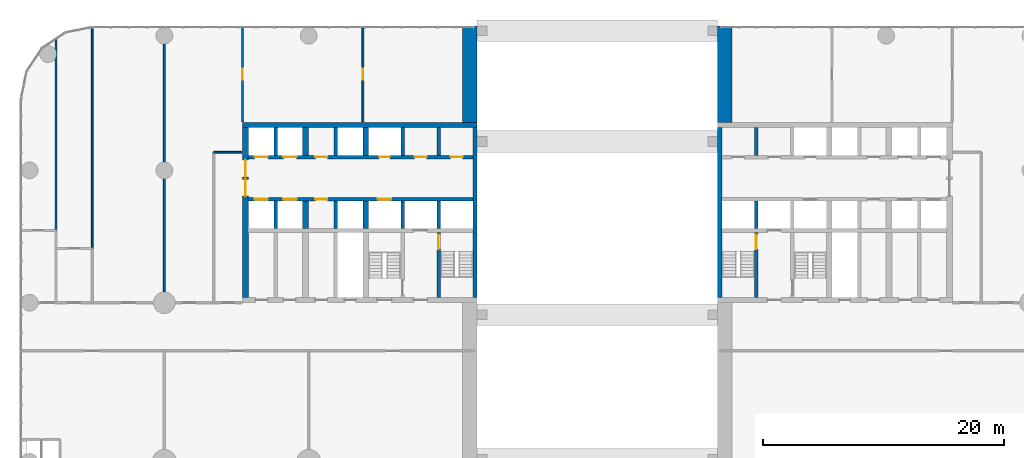
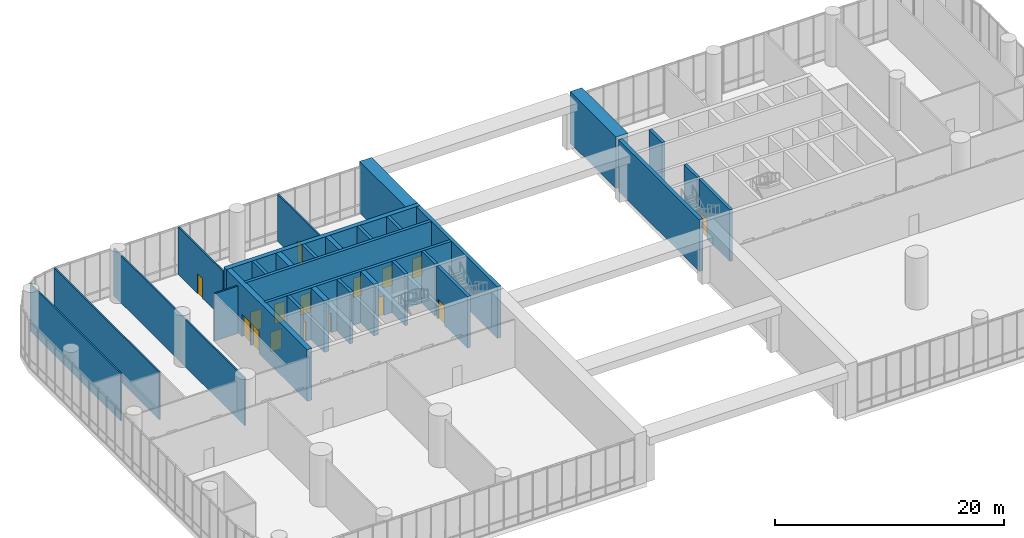
# One storey, part 25 of 30: 30 walls, 16 doors, 16 openings.
"""IFC4 building model written with IfcOpenShell, lengths in metres."""

import ifcopenshell
import ifcopenshell.guid

model = None  # the IFC model being written
_history = None  # IfcOwnerHistory: only IFC2X3 demands one
_inside = {}  # id of a spatial element -> (the spatial element, [elements in it])
_under = {}  # id of a project, library or spatial element -> (it, [spatial elements below it])
_declared = {}  # id of a project -> (the project, [libraries it declares])
_typed = {}  # id of a type object -> (the type object, [elements of that type])
_made_of = {}  # id of a material, layer set ... -> (it, [elements and type objects made of it])


def new_model(schema):
    """Start an empty IFC model of exactly this schema.

    Asked for "IFC4X3", IfcOpenShell would pick the latest addendum, in which some entities
    have other attributes; the version numbers below select the first issue.
    IFC2X3 requires an IfcOwnerHistory on every rooted entity: one is made here for all.
    """
    global model, _history
    if schema == "IFC4X3":
        model = ifcopenshell.file(schema_version=(4, 3, 0, 0))
    else:
        model = ifcopenshell.file(schema=schema)
    _inside.clear()
    _under.clear()
    _declared.clear()
    _typed.clear()
    _made_of.clear()
    _history = None
    if model.schema == "IFC2X3":
        org = make("IfcOrganization", Name="unknown")
        user = make(
            "IfcPersonAndOrganization",
            ThePerson=make("IfcPerson", FamilyName="unknown"),
            TheOrganization=org,
        )
        app = make(
            "IfcApplication",
            ApplicationDeveloper=org,
            Version="unknown",
            ApplicationFullName="unknown",
            ApplicationIdentifier="unknown",
        )
        _history = make(
            "IfcOwnerHistory",
            OwningUser=user,
            OwningApplication=app,
            ChangeAction="ADDED",
            CreationDate=0,
        )
    return model


def make(cls, **values):
    """One entity of the class cls with the attributes given. An attribute that is None is left unset."""
    return model.create_entity(
        cls, **{name: value for name, value in values.items() if value is not None}
    )


def rooted(cls, **values):
    """An entity with a GlobalId (a new one), such as an element, a storey or a relation."""
    return make(cls, GlobalId=ifcopenshell.guid.new(), OwnerHistory=_history, **values)


def si_unit(unit_type, name, prefix=None):
    """IfcSIUnit, for example si_unit("LENGTHUNIT", "METRE", prefix="MILLI")."""
    return make("IfcSIUnit", UnitType=unit_type, Prefix=prefix, Name=name)


def assignment(units):
    """IfcUnitAssignment: the units of a project."""
    return None if units is None else make("IfcUnitAssignment", Units=units)


def point(xyz):
    """IfcCartesianPoint."""
    return None if xyz is None else make("IfcCartesianPoint", Coordinates=xyz)


def direction(xyz):
    """IfcDirection."""
    return None if xyz is None else make("IfcDirection", DirectionRatios=xyz)


def frame(location, z_axis=None, x_axis=None):
    """IfcAxis2Placement3D, a coordinate frame: its origin and axes. An axis left out is left unset."""
    return make(
        "IfcAxis2Placement3D",
        Location=point(location),
        Axis=direction(z_axis),
        RefDirection=direction(x_axis),
    )


def frame_2d(location, x_axis=None):
    """IfcAxis2Placement2D, a coordinate frame in the plane: its origin and x axis."""
    return make(
        "IfcAxis2Placement2D", Location=point(location), RefDirection=direction(x_axis)
    )


def origin():
    """The frame at (0, 0, 0) with its axes left unset."""
    return frame((0.0, 0.0, 0.0))


def place(relative_to, where):
    """IfcLocalPlacement: puts the frame where relative to a parent placement (None: the world)."""
    return make(
        "IfcLocalPlacement", PlacementRelTo=relative_to, RelativePlacement=where
    )


def context(
    kind, dimensions, precision=None, world=None, true_north=None, identifier=None
):
    """IfcGeometricRepresentationContext, for example the 3D "Model" context."""
    return make(
        "IfcGeometricRepresentationContext",
        ContextIdentifier=identifier,
        ContextType=kind,
        CoordinateSpaceDimension=dimensions,
        Precision=precision,
        WorldCoordinateSystem=world,
        TrueNorth=true_north,
    )


def subcontext(parent, identifier, kind, view, scale=None):
    """IfcGeometricRepresentationSubContext, for example "Body" below "Model"."""
    return make(
        "IfcGeometricRepresentationSubContext",
        ContextIdentifier=identifier,
        ContextType=kind,
        ParentContext=parent,
        TargetScale=scale,
        TargetView=view,
    )


def project(units=None, contexts=None):
    """IfcProject with its units and contexts."""
    return rooted(
        "IfcProject",
        Name="project",
        RepresentationContexts=contexts,
        UnitsInContext=assignment(units),
    )


def spatial(cls, under=None, at=None, **own):
    """A site, building, storey or space (cls), placed at a placement, below another one or the project."""
    s = rooted(cls, ObjectPlacement=at, **own)
    if under is not None:
        _under.setdefault(under.id(), (under, []))[1].append(s)
    return s


def profile(cls, at=None, kind="AREA", **sizes):
    """A parametric profile (cls). Its sizes go by their IFC names, for example OverallWidth=200.0."""
    return make(cls, ProfileType=kind, Position=at, **sizes)


def rectangle(**sizes):
    """IfcRectangleProfileDef."""
    return profile("IfcRectangleProfileDef", **sizes)


def extrude(swept, where, along, depth):
    """IfcExtrudedAreaSolid: the profile swept, set in the frame where, extruded along a direction by depth."""
    return make(
        "IfcExtrudedAreaSolid",
        SweptArea=swept,
        Position=where,
        ExtrudedDirection=direction(along),
        Depth=depth,
    )


def shape(context_of_items, identifier, shape_type, items):
    """IfcShapeRepresentation: the items that make up one representation, for example the "Body"."""
    return make(
        "IfcShapeRepresentation",
        ContextOfItems=context_of_items,
        RepresentationIdentifier=identifier,
        RepresentationType=shape_type,
        Items=items,
    )


def material(Name=None, Category=None):
    """IfcMaterial."""
    return make("IfcMaterial", Name=Name, Category=Category)


def layer(
    of_material, thickness, ventilated=None, Name=None, Category=None, Priority=None
):
    """IfcMaterialLayer: one layer of a wall or slab, of a material (None: an air gap)."""
    return make(
        "IfcMaterialLayer",
        Material=of_material,
        LayerThickness=thickness,
        IsVentilated=ventilated,
        Name=Name,
        Category=Category,
        Priority=Priority,
    )


def layer_set(layers, Name=None):
    """IfcMaterialLayerSet."""
    return make("IfcMaterialLayerSet", MaterialLayers=layers, LayerSetName=Name)


def made_of(thing, what):
    """Note that an element or type object is made of a material, layer set ...; save() writes the relation."""
    if what is not None:
        _made_of.setdefault(what.id(), (what, []))[1].append(thing)
    return thing


def type_object(cls, material=None, **own):
    """A type object (cls), such as IfcWallType, which elements share."""
    return made_of(rooted(cls, **own), material)


def element(
    cls,
    number,
    at=None,
    inside=None,
    cuts=None,
    type_object=None,
    material=None,
    context=None,
    identifier="Body",
    shape_type=None,
    held_by="IfcProductDefinitionShape",
    body=None,
    shapes=None,
    **own,
):
    """One element of the class cls, such as IfcWall. Its Tag is "e" and its number.

    at: its placement. inside: the storey or other place that contains it. cuts: it is an
    opening in that element (IfcRelVoidsElement). A single representation is given by context,
    identifier, shape_type and body (its items); several are given by shapes. held_by: the class
    of the entity that holds the representations. save() writes the other relations.
    """
    e = rooted(cls, Tag="e%d" % number, ObjectPlacement=at, **own)
    if body is not None:
        shapes = [shape(context, identifier, shape_type, body)]
    if shapes is not None:
        e.Representation = make(held_by, Representations=shapes)
    if inside is not None:
        _inside.setdefault(inside.id(), (inside, []))[1].append(e)
    if cuts is not None:
        rooted(
            "IfcRelVoidsElement", RelatingBuildingElement=cuts, RelatedOpeningElement=e
        )
    if type_object is not None:
        _typed.setdefault(type_object.id(), (type_object, []))[1].append(e)
    return made_of(e, material)


def fill(opening, filler):
    """IfcRelFillsElement: the door or window that sits in an opening."""
    return rooted(
        "IfcRelFillsElement",
        RelatingOpeningElement=opening,
        RelatedBuildingElement=filler,
    )


def aggregate(whole, parts):
    """IfcRelAggregates: a whole, such as a stair, and the parts it consists of."""
    return rooted("IfcRelAggregates", RelatingObject=whole, RelatedObjects=parts)


def save(model, path):
    """Write the relations noted so far, then the file.

    IfcRelAggregates (storeys below a building ...), IfcRelContainedInSpatialStructure (elements
    in a storey), IfcRelDefinesByType, IfcRelAssociatesMaterial and IfcRelDeclares: one each for
    every whole, place, type object, material and project.
    """
    for whole, parts in _under.values():
        aggregate(whole, parts)
    for where, things in _inside.values():
        rooted(
            "IfcRelContainedInSpatialStructure",
            RelatedElements=things,
            RelatingStructure=where,
        )
    for kind, things in _typed.values():
        rooted("IfcRelDefinesByType", RelatedObjects=things, RelatingType=kind)
    for what, things in _made_of.values():
        rooted("IfcRelAssociatesMaterial", RelatedObjects=things, RelatingMaterial=what)
    for by, libraries in _declared.values():
        rooted("IfcRelDeclares", RelatingContext=by, RelatedDefinitions=libraries)
    model.write(path)


model = new_model("IFC4")

# Units and contexts
model_context = context("Model", 3, precision=1e-05, world=origin(), true_north=direction((0.0, 1.0)))
body_context = subcontext(model_context, "Body", "Model", "MODEL_VIEW")
ifc_project = project(units=[si_unit("LENGTHUNIT", "METRE"), si_unit("AREAUNIT", "SQUARE_METRE"), si_unit("VOLUMEUNIT", "CUBIC_METRE"), si_unit("PLANEANGLEUNIT", "RADIAN"), si_unit("MASSUNIT", "GRAM", prefix="KILO")], contexts=[model_context])

# Site, building, storey
site_placement = place(None, origin())
site = spatial("IfcSite", under=ifc_project, at=site_placement, CompositionType="ELEMENT")
building_placement = place(site_placement, origin())
building = spatial("IfcBuilding", under=site, at=building_placement, Name="Torana Hotel and Residences", CompositionType="ELEMENT")
storey_placement = place(building_placement, frame((0.0, 0.0, 12.5)))
storey = spatial("IfcBuildingStorey", under=building, at=storey_placement, Name="L02", CompositionType="ELEMENT", Elevation=12.5)

# Walls
ifc_material_1 = material(Name="Concrete C70/85", Category="concrete")
ifc_layer_1 = layer(ifc_material_1, 1.199951171875)
ifc_layer_set_1 = layer_set([ifc_layer_1], Name="CORE WALL 1200 C70/85")
wall_type_1 = type_object("IfcWallType", Name="CORE WALL 1200 C70/85", PredefinedType="SHEAR", material=ifc_layer_set_1)
for number, where, z_axis, x_axis, name in (
    (1, (-10.60009765625, 0.0, 0.0), (0.0, 0.0, 1.0), (0.0, 1.0, 0.0), "Arch jamb wall W"),
    (2, (10.60009765625, 0.0, 0.0), (0.0, 0.0, 1.0), (0.0, 1.0, 0.0), "Arch jamb wall E"),
):
    element("IfcWall", number, at=place(storey_placement, frame(where, z_axis=z_axis, x_axis=x_axis)), inside=storey, type_object=wall_type_1, Name=name, PredefinedType="SHEAR", context=body_context, shape_type="SweptSolid", body=[
        extrude(rectangle(XDim=8.0, YDim=1.199951171875, at=frame_2d((4.0, 0.0))), origin(), (0.0, 0.0, 1.0), 5.5),
    ])

# Wall, openings, doors
ifc_material_2 = material(Name="Concrete C80/95", Category="concrete")
ifc_layer_2 = layer(ifc_material_2, 0.300048828125)
ifc_layer_set_2 = layer_set([ifc_layer_2], Name="CORE WALL 300 C80/95")
wall_type_2 = type_object("IfcWallType", Name="CORE WALL 300 C80/95", PredefinedType="SHEAR", material=ifc_layer_set_2)
wall_1_placement = place(storey_placement, frame((-29.050048828125, -2.89990234375, 0.0), z_axis=(0.0, 0.0, 1.0), x_axis=(1.0, 0.0, 0.0)))
wall_1 = element("IfcWall", 3, at=wall_1_placement, inside=storey, type_object=wall_type_2, Name="Core wall W row-N", PredefinedType="SHEAR", context=body_context, shape_type="SweptSolid", body=[
    extrude(rectangle(XDim=18.699951171875, YDim=0.300048828125, at=frame_2d((9.35009765625, 0.0))), origin(), (0.0, 0.0, 1.0), 5.5),
])
opening_1_placement = place(wall_1_placement, frame((2.949951171875, 0.0, 0.0)))
opening_1 = element("IfcOpeningElement", 4, at=opening_1_placement, cuts=wall_1, Name="Opening LD", PredefinedType="OPENING", context=body_context, shape_type="SweptSolid", body=[
    extrude(rectangle(XDim=1.10009765625, YDim=2.10009765625, at=frame_2d((0.550048828125, 1.050048828125))), frame((0.0, 0.159912109375, 0.0), z_axis=(0.0, -1.0, 0.0), x_axis=(1.0, 0.0, 0.0)), (0.0, 0.0, 1.0), 0.320068359375),
])
opening_2_placement = place(wall_1_placement, frame((0.550048828125, 0.0, 0.0)))
opening_2 = element("IfcOpeningElement", 5, at=opening_2_placement, cuts=wall_1, Name="Opening LD", PredefinedType="OPENING", context=body_context, shape_type="SweptSolid", body=[
    extrude(rectangle(XDim=1.10009765625, YDim=2.10009765625, at=frame_2d((0.550048828125, 1.050048828125))), frame((0.0, 0.159912109375, 0.0), z_axis=(0.0, -1.0, 0.0), x_axis=(1.0, 0.0, 0.0)), (0.0, 0.0, 1.0), 0.320068359375),
])
opening_3_placement = place(wall_1_placement, frame((10.89990234375, 0.0, 0.0)))
opening_3 = element("IfcOpeningElement", 6, at=opening_3_placement, cuts=wall_1, Name="Opening L02-09", PredefinedType="OPENING", context=body_context, shape_type="SweptSolid", body=[
    extrude(rectangle(XDim=0.89990234375, YDim=2.10009765625, at=frame_2d((0.449951171875, 1.050048828125))), frame((0.0, 0.159912109375, 0.0), z_axis=(0.0, -1.0, 0.0), x_axis=(1.0, 0.0, 0.0)), (0.0, 0.0, 1.0), 0.320068359375),
])
opening_4_placement = place(wall_1_placement, frame((16.85009765625, 0.0, 0.0)))
opening_4 = element("IfcOpeningElement", 7, at=opening_4_placement, cuts=wall_1, Name="Opening L02-10", PredefinedType="OPENING", context=body_context, shape_type="SweptSolid", body=[
    extrude(rectangle(XDim=1.0, YDim=2.10009765625, at=frame_2d((0.5, 1.050048828125))), frame((0.0, 0.159912109375, 0.0), z_axis=(0.0, -1.0, 0.0), x_axis=(1.0, 0.0, 0.0)), (0.0, 0.0, 1.0), 0.320068359375),
])
opening_5_placement = place(wall_1_placement, frame((13.85009765625, 0.0, 0.0)))
opening_5 = element("IfcOpeningElement", 8, at=opening_5_placement, cuts=wall_1, Name="Opening L02-11", PredefinedType="OPENING", context=body_context, shape_type="SweptSolid", body=[
    extrude(rectangle(XDim=1.0, YDim=2.10009765625, at=frame_2d((0.5, 1.050048828125))), frame((0.0, 0.159912109375, 0.0), z_axis=(0.0, -1.0, 0.0), x_axis=(1.0, 0.0, 0.0)), (0.0, 0.0, 1.0), 0.320068359375),
])
opening_6_placement = place(wall_1_placement, frame((5.60009765625, 0.0, 0.0)))
opening_6 = element("IfcOpeningElement", 9, at=opening_6_placement, cuts=wall_1, Name="Opening L02-12", PredefinedType="OPENING", context=body_context, shape_type="SweptSolid", body=[
    extrude(rectangle(XDim=1.0, YDim=2.10009765625, at=frame_2d((0.5, 1.050048828125))), frame((0.0, 0.159912109375, 0.0), z_axis=(0.0, -1.0, 0.0), x_axis=(1.0, 0.0, 0.0)), (0.0, 0.0, 1.0), 0.320068359375),
])
ifc_material_3 = material(Name="Steel S235", Category="steel")
door_type_1 = type_object("IfcDoorType", Name="CORE ROOM FIRE DOOR D14 1000x2100", OperationType="SINGLE_SWING_LEFT", PredefinedType="DOOR", material=ifc_material_3)
door_1_placement = place(opening_4_placement, origin())
door_1 = element("IfcDoor", 10, at=door_1_placement, inside=storey, type_object=door_type_1, Name="N0 door L02", OperationType="SINGLE_SWING_RIGHT", OverallHeight=2.10009765625, OverallWidth=1.0, PredefinedType="DOOR", context=body_context, shape_type="SweptSolid", body=[
    extrude(rectangle(XDim=1.0, YDim=2.10009765625, at=frame_2d((0.5, 1.050048828125))), frame((0.0, 0.02490234375, 0.0), z_axis=(0.0, -1.0, 0.0), x_axis=(1.0, 0.0, 0.0)), (0.0, 0.0, 1.0), 0.050048828125),
])
fill(opening_4, door_1)
door_2_placement = place(opening_5_placement, origin())
door_2 = element("IfcDoor", 11, at=door_2_placement, inside=storey, type_object=door_type_1, Name="N1 door L02", OperationType="SINGLE_SWING_RIGHT", OverallHeight=2.10009765625, OverallWidth=1.0, PredefinedType="DOOR", context=body_context, shape_type="SweptSolid", body=[
    extrude(rectangle(XDim=1.0, YDim=2.10009765625, at=frame_2d((0.5, 1.050048828125))), frame((0.0, 0.02490234375, 0.0), z_axis=(0.0, -1.0, 0.0), x_axis=(1.0, 0.0, 0.0)), (0.0, 0.0, 1.0), 0.050048828125),
])
fill(opening_5, door_2)
door_3_placement = place(opening_6_placement, origin())
door_3 = element("IfcDoor", 12, at=door_3_placement, inside=storey, type_object=door_type_1, Name="Free-M1 door L02", OperationType="SINGLE_SWING_RIGHT", OverallHeight=2.10009765625, OverallWidth=1.0, PredefinedType="DOOR", context=body_context, shape_type="SweptSolid", body=[
    extrude(rectangle(XDim=1.0, YDim=2.10009765625, at=frame_2d((0.5, 1.050048828125))), frame((0.0, 0.02490234375, 0.0), z_axis=(0.0, -1.0, 0.0), x_axis=(1.0, 0.0, 0.0)), (0.0, 0.0, 1.0), 0.050048828125),
])
fill(opening_6, door_3)
ifc_material_4 = material(Name="Stainless steel 316", Category="steel")
door_type_2 = type_object("IfcDoorType", Name="LIFT LANDING DOOR LD 1100x2100", OperationType="DOUBLE_DOOR_SLIDING", PredefinedType="USERDEFINED", material=ifc_material_4)
door_4_placement = place(opening_1_placement, origin())
door_4 = element("IfcDoor", 13, at=door_4_placement, inside=storey, type_object=door_type_2, Name="Lift landing door L1 L02", ObjectType="LIFT LANDING DOOR", OperationType="DOUBLE_DOOR_SLIDING", OverallHeight=2.10009765625, OverallWidth=1.10009765625, PredefinedType="USERDEFINED", context=body_context, shape_type="SweptSolid", body=[
    extrude(rectangle(XDim=1.10009765625, YDim=2.10009765625, at=frame_2d((0.550048828125, 1.050048828125))), frame((0.0, 0.02490234375, 0.0), z_axis=(0.0, -1.0, 0.0), x_axis=(1.0, 0.0, 0.0)), (0.0, 0.0, 1.0), 0.050048828125),
])
fill(opening_1, door_4)
door_5_placement = place(opening_2_placement, origin())
door_5 = element("IfcDoor", 14, at=door_5_placement, inside=storey, type_object=door_type_2, Name="Lift landing door L2 L02", ObjectType="LIFT LANDING DOOR", OperationType="DOUBLE_DOOR_SLIDING", OverallHeight=2.10009765625, OverallWidth=1.10009765625, PredefinedType="USERDEFINED", context=body_context, shape_type="SweptSolid", body=[
    extrude(rectangle(XDim=1.10009765625, YDim=2.10009765625, at=frame_2d((0.550048828125, 1.050048828125))), frame((0.0, 0.02490234375, 0.0), z_axis=(0.0, -1.0, 0.0), x_axis=(1.0, 0.0, 0.0)), (0.0, 0.0, 1.0), 0.050048828125),
])
fill(opening_2, door_5)
ifc_material_5 = material(Name="Steel S235", Category="steel")
door_type_3 = type_object("IfcDoorType", Name="RISER ACCESS DOOR D5 900x2100", OperationType="SINGLE_SWING_LEFT", PredefinedType="DOOR", material=ifc_material_5)
door_6_placement = place(opening_3_placement, origin())
door_6 = element("IfcDoor", 15, at=door_6_placement, inside=storey, type_object=door_type_3, Name="N2 door L02", OperationType="SINGLE_SWING_RIGHT", OverallHeight=2.10009765625, OverallWidth=0.89990234375, PredefinedType="DOOR", context=body_context, shape_type="SweptSolid", body=[
    extrude(rectangle(XDim=0.89990234375, YDim=2.10009765625, at=frame_2d((0.449951171875, 1.050048828125))), frame((0.0, 0.02490234375, 0.0), z_axis=(0.0, -1.0, 0.0), x_axis=(1.0, 0.0, 0.0)), (0.0, 0.0, 1.0), 0.050048828125),
])
fill(opening_3, door_6)

wall_2_placement = place(storey_placement, frame((-29.050048828125, -6.39990234375, 0.0), z_axis=(0.0, 0.0, 1.0), x_axis=(1.0, 0.0, 0.0)))
wall_2 = element("IfcWall", 16, at=wall_2_placement, inside=storey, type_object=wall_type_2, Name="Core wall W row-S", PredefinedType="SHEAR", context=body_context, shape_type="SweptSolid", body=[
    extrude(rectangle(XDim=18.699951171875, YDim=0.300048828125, at=frame_2d((9.35009765625, 0.0))), origin(), (0.0, 0.0, 1.0), 5.5),
])
opening_7_placement = place(wall_2_placement, frame((2.949951171875, 0.0, 0.0)))
opening_7 = element("IfcOpeningElement", 17, at=opening_7_placement, cuts=wall_2, Name="Opening LD", PredefinedType="OPENING", context=body_context, shape_type="SweptSolid", body=[
    extrude(rectangle(XDim=1.10009765625, YDim=2.10009765625, at=frame_2d((0.550048828125, 1.050048828125))), frame((0.0, 0.159912109375, 0.0), z_axis=(0.0, -1.0, 0.0), x_axis=(1.0, 0.0, 0.0)), (0.0, 0.0, 1.0), 0.320068359375),
])
opening_8_placement = place(wall_2_placement, frame((0.550048828125, 0.0, 0.0)))
opening_8 = element("IfcOpeningElement", 18, at=opening_8_placement, cuts=wall_2, Name="Opening LD", PredefinedType="OPENING", context=body_context, shape_type="SweptSolid", body=[
    extrude(rectangle(XDim=1.10009765625, YDim=2.10009765625, at=frame_2d((0.550048828125, 1.050048828125))), frame((0.0, 0.159912109375, 0.0), z_axis=(0.0, -1.0, 0.0), x_axis=(1.0, 0.0, 0.0)), (0.0, 0.0, 1.0), 0.320068359375),
])
opening_9_placement = place(wall_2_placement, frame((10.800048828125, 0.0, 0.0)))
opening_9 = element("IfcOpeningElement", 19, at=opening_9_placement, cuts=wall_2, Name="Opening LD", PredefinedType="OPENING", context=body_context, shape_type="SweptSolid", body=[
    extrude(rectangle(XDim=1.10009765625, YDim=2.10009765625, at=frame_2d((0.550048828125, 1.050048828125))), frame((0.0, 0.159912109375, 0.0), z_axis=(0.0, -1.0, 0.0), x_axis=(1.0, 0.0, 0.0)), (0.0, 0.0, 1.0), 0.320068359375),
])
opening_10_placement = place(wall_2_placement, frame((5.60009765625, 0.0, 0.0)))
opening_10 = element("IfcOpeningElement", 20, at=opening_10_placement, cuts=wall_2, Name="Opening L02-13", PredefinedType="OPENING", context=body_context, shape_type="SweptSolid", body=[
    extrude(rectangle(XDim=1.0, YDim=2.10009765625, at=frame_2d((0.5, 1.050048828125))), frame((0.0, 0.159912109375, 0.0), z_axis=(0.0, -1.0, 0.0), x_axis=(1.0, 0.0, 0.0)), (0.0, 0.0, 1.0), 0.320068359375),
])
door_7_placement = place(opening_10_placement, frame((0.5, 0.0, 0.0), z_axis=(0.0, 0.0, 1.0), x_axis=(-1.0, 0.0, 0.0)))
door_7 = element("IfcDoor", 21, at=door_7_placement, inside=storey, type_object=door_type_1, Name="Free-M2 door L02", OperationType="SINGLE_SWING_LEFT", OverallHeight=2.10009765625, OverallWidth=1.0, PredefinedType="DOOR", context=body_context, shape_type="SweptSolid", body=[
    extrude(rectangle(XDim=1.0, YDim=2.10009765625, at=frame_2d((0.0, 1.050048828125))), frame((0.0, -0.02490234375, 0.0), z_axis=(0.0, 1.0, 0.0), x_axis=(-1.0, 0.0, 0.0)), (0.0, 0.0, 1.0), 0.050048828125),
])
fill(opening_10, door_7)
door_8_placement = place(opening_7_placement, origin())
door_8 = element("IfcDoor", 22, at=door_8_placement, inside=storey, type_object=door_type_2, Name="Lift landing door L3 L02", ObjectType="LIFT LANDING DOOR", OperationType="DOUBLE_DOOR_SLIDING", OverallHeight=2.10009765625, OverallWidth=1.10009765625, PredefinedType="USERDEFINED", context=body_context, shape_type="SweptSolid", body=[
    extrude(rectangle(XDim=1.10009765625, YDim=2.10009765625, at=frame_2d((0.550048828125, 1.050048828125))), frame((0.0, 0.02490234375, 0.0), z_axis=(0.0, -1.0, 0.0), x_axis=(1.0, 0.0, 0.0)), (0.0, 0.0, 1.0), 0.050048828125),
])
fill(opening_7, door_8)
door_9_placement = place(opening_8_placement, origin())
door_9 = element("IfcDoor", 23, at=door_9_placement, inside=storey, type_object=door_type_2, Name="Lift landing door L4 L02", ObjectType="LIFT LANDING DOOR", OperationType="DOUBLE_DOOR_SLIDING", OverallHeight=2.10009765625, OverallWidth=1.10009765625, PredefinedType="USERDEFINED", context=body_context, shape_type="SweptSolid", body=[
    extrude(rectangle(XDim=1.10009765625, YDim=2.10009765625, at=frame_2d((0.550048828125, 1.050048828125))), frame((0.0, 0.02490234375, 0.0), z_axis=(0.0, -1.0, 0.0), x_axis=(1.0, 0.0, 0.0)), (0.0, 0.0, 1.0), 0.050048828125),
])
fill(opening_8, door_9)
door_10_placement = place(opening_9_placement, origin())
door_10 = element("IfcDoor", 24, at=door_10_placement, inside=storey, type_object=door_type_2, Name="Lift landing door SV1 L02", ObjectType="LIFT LANDING DOOR", OperationType="DOUBLE_DOOR_SLIDING", OverallHeight=2.10009765625, OverallWidth=1.10009765625, PredefinedType="USERDEFINED", context=body_context, shape_type="SweptSolid", body=[
    extrude(rectangle(XDim=1.10009765625, YDim=2.10009765625, at=frame_2d((0.550048828125, 1.050048828125))), frame((0.0, 0.02490234375, 0.0), z_axis=(0.0, -1.0, 0.0), x_axis=(1.0, 0.0, 0.0)), (0.0, 0.0, 1.0), 0.050048828125),
])
fill(opening_9, door_10)

# Walls
for number, where, z_axis, x_axis, name in (
    (25, (-13.199951171875, -2.75, 0.0), (0.0, 0.0, 1.0), (0.0, 1.0, 0.0), "Core wall W x3.05-N"),
    (26, (-13.199951171875, -8.85009765625, 0.0), (0.0, 0.0, 1.0), (0.0, 1.0, 0.0), "Core wall W x3.05-S"),
):
    element("IfcWall", number, at=place(storey_placement, frame(where, z_axis=z_axis, x_axis=x_axis)), inside=storey, type_object=wall_type_2, Name=name, PredefinedType="SHEAR", context=body_context, shape_type="SweptSolid", body=[
        extrude(rectangle(XDim=2.300048828125, YDim=0.300048828125, at=frame_2d((1.14990234375, 0.0))), origin(), (0.0, 0.0, 1.0), 5.5),
    ])

# Wall, opening, door
wall_3_placement = place(storey_placement, frame((-13.199951171875, -14.550048828125, 0.0), z_axis=(0.0, 0.0, 1.0), x_axis=(0.0, 1.0, 0.0)))
wall_3 = element("IfcWall", 27, at=wall_3_placement, inside=storey, type_object=wall_type_2, Name="Core wall W x3.05-band", PredefinedType="SHEAR", context=body_context, shape_type="SweptSolid", body=[
    extrude(rectangle(XDim=5.400146484375, YDim=0.300048828125, at=frame_2d((2.7001953125, 0.0))), origin(), (0.0, 0.0, 1.0), 5.5),
])
opening_11_placement = place(wall_3_placement, frame((4.0, 0.0, 0.0)))
opening_11 = element("IfcOpeningElement", 28, at=opening_11_placement, cuts=wall_3, Name="Opening L02-14", PredefinedType="OPENING", context=body_context, shape_type="SweptSolid", body=[
    extrude(rectangle(XDim=1.199951171875, YDim=2.10009765625, at=frame_2d((0.60009765625, 1.050048828125))), frame((0.0, 0.159912109375, 0.0), z_axis=(0.0, -1.0, 0.0), x_axis=(1.0, 0.0, 0.0)), (0.0, 0.0, 1.0), 0.320068359375),
])
ifc_material_6 = material(Name="Steel S235", Category="steel")
door_type_4 = type_object("IfcDoorType", Name="STAIR FIRE DOOR D3 1200x2100", OperationType="SINGLE_SWING_LEFT", PredefinedType="DOOR", material=ifc_material_6)
door_11_placement = place(opening_11_placement, frame((0.60009765625, 0.0, 0.0), z_axis=(0.0, 0.0, 1.0), x_axis=(-1.0, 0.0, 0.0)))
door_11 = element("IfcDoor", 29, at=door_11_placement, inside=storey, type_object=door_type_4, Name="Stair-A-lobby door L02", OperationType="SINGLE_SWING_RIGHT", OverallHeight=2.10009765625, OverallWidth=1.199951171875, PredefinedType="DOOR", context=body_context, shape_type="SweptSolid", body=[
    extrude(rectangle(XDim=1.199951171875, YDim=2.10009765625, at=frame_2d((0.0, 1.050048828125))), frame((0.0, -0.02490234375, 0.0), z_axis=(0.0, 1.0, 0.0), x_axis=(-1.0, 0.0, 0.0)), (0.0, 0.0, 1.0), 0.050048828125),
])
fill(opening_11, door_11)

# Walls
for number, where, z_axis, x_axis, name in (
    (30, (-16.199951171875, -2.75, 0.0), (0.0, 0.0, 1.0), (0.0, 1.0, 0.0), "Core wall W x6.05-N"),
    (31, (-16.199951171875, -8.85009765625, 0.0), (0.0, 0.0, 1.0), (0.0, 1.0, 0.0), "Core wall W x6.05-S"),
    (32, (-21.75, -2.75, 0.0), (0.0, 0.0, 1.0), (0.0, 1.0, 0.0), "Core wall W mm-N"),
    (33, (-21.75, -8.85009765625, 0.0), (0.0, 0.0, 1.0), (0.0, 1.0, 0.0), "Core wall W mm-S"),
    (34, (-26.75, -2.75, 0.0), (0.0, 0.0, 1.0), (0.0, 1.0, 0.0), "Core wall W ll-N"),
    (35, (-26.75, -8.85009765625, 0.0), (0.0, 0.0, 1.0), (0.0, 1.0, 0.0), "Core wall W ll-S"),
    (36, (13.199951171875, -2.75, 0.0), (0.0, 0.0, 1.0), (0.0, 1.0, 0.0), "Core wall E x3.05-N"),
    (37, (13.199951171875, -8.85009765625, 0.0), (0.0, 0.0, 1.0), (0.0, 1.0, 0.0), "Core wall E x3.05-S"),
):
    element("IfcWall", number, at=place(storey_placement, frame(where, z_axis=z_axis, x_axis=x_axis)), inside=storey, type_object=wall_type_2, Name=name, PredefinedType="SHEAR", context=body_context, shape_type="SweptSolid", body=[
        extrude(rectangle(XDim=2.300048828125, YDim=0.300048828125, at=frame_2d((1.14990234375, 0.0))), origin(), (0.0, 0.0, 1.0), 5.5),
    ])

# Wall, opening, door
wall_4_placement = place(storey_placement, frame((13.199951171875, -14.550048828125, 0.0), z_axis=(0.0, 0.0, 1.0), x_axis=(0.0, 1.0, 0.0)))
wall_4 = element("IfcWall", 38, at=wall_4_placement, inside=storey, type_object=wall_type_2, Name="Core wall E x3.05-band", PredefinedType="SHEAR", context=body_context, shape_type="SweptSolid", body=[
    extrude(rectangle(XDim=5.400146484375, YDim=0.300048828125, at=frame_2d((2.7001953125, 0.0))), origin(), (0.0, 0.0, 1.0), 5.5),
])
opening_12_placement = place(wall_4_placement, frame((4.0, 0.0, 0.0)))
opening_12 = element("IfcOpeningElement", 39, at=opening_12_placement, cuts=wall_4, Name="Opening L02-29", PredefinedType="OPENING", context=body_context, shape_type="SweptSolid", body=[
    extrude(rectangle(XDim=1.199951171875, YDim=2.10009765625, at=frame_2d((0.60009765625, 1.050048828125))), frame((0.0, 0.159912109375, 0.0), z_axis=(0.0, -1.0, 0.0), x_axis=(1.0, 0.0, 0.0)), (0.0, 0.0, 1.0), 0.320068359375),
])
door_12_placement = place(opening_12_placement, origin())
door_12 = element("IfcDoor", 40, at=door_12_placement, inside=storey, type_object=door_type_4, Name="Stair-A-lobby door L02", OperationType="SINGLE_SWING_LEFT", OverallHeight=2.10009765625, OverallWidth=1.199951171875, PredefinedType="DOOR", context=body_context, shape_type="SweptSolid", body=[
    extrude(rectangle(XDim=1.199951171875, YDim=2.10009765625, at=frame_2d((0.60009765625, 1.050048828125))), frame((0.0, 0.02490234375, 0.0), z_axis=(0.0, -1.0, 0.0), x_axis=(1.0, 0.0, 0.0)), (0.0, 0.0, 1.0), 0.050048828125),
])
fill(opening_12, door_12)

# Walls
ifc_material_7 = material(Name="Concrete C80/95", Category="concrete")
ifc_layer_3 = layer(ifc_material_7, 0.35009765625)
ifc_layer_set_3 = layer_set([ifc_layer_3], Name="CORE WALL 350 C80/95")
wall_type_3 = type_object("IfcWallType", Name="CORE WALL 350 C80/95", PredefinedType="SHEAR", material=ifc_layer_set_3)
for number, where, z_axis, x_axis, name in (
    (41, (-10.175048828125, -14.550048828125, 0.0), (0.0, 0.0, 1.0), (0.0, 1.0, 0.0), "Core wall W arch"),
    (42, (10.175048828125, -14.550048828125, 0.0), (0.0, 0.0, 1.0), (0.0, 1.0, 0.0), "Core wall E arch"),
):
    element("IfcWall", number, at=place(storey_placement, frame(where, z_axis=z_axis, x_axis=x_axis)), inside=storey, type_object=wall_type_3, Name=name, PredefinedType="SHEAR", context=body_context, shape_type="SweptSolid", body=[
        extrude(rectangle(XDim=14.10009765625, YDim=0.35009765625, at=frame_2d((7.050048828125, 0.0))), origin(), (0.0, 0.0, 1.0), 5.5),
    ])
ifc_material_8 = material(Name="Concrete C80/95", Category="concrete")
ifc_layer_4 = layer(ifc_material_8, 0.449951171875)
ifc_layer_set_4 = layer_set([ifc_layer_4], Name="CORE WALL 450 C80/95")
wall_type_4 = type_object("IfcWallType", Name="CORE WALL 450 C80/95", PredefinedType="SHEAR", material=ifc_layer_set_4)
wall_5_placement = place(storey_placement, frame((-29.5, -0.22509765625, 0.0), z_axis=(0.0, 0.0, 1.0), x_axis=(1.0, 0.0, 0.0)))
element("IfcWall", 43, at=wall_5_placement, inside=storey, type_object=wall_type_4, Name="Core wall W rear", PredefinedType="SHEAR", context=body_context, shape_type="SweptSolid", body=[
    extrude(rectangle(XDim=19.5, YDim=0.449951171875, at=frame_2d((9.75, 0.0))), origin(), (0.0, 0.0, 1.0), 5.5),
])
for number, where, z_axis, x_axis, name in (
    (44, (-19.27490234375, -2.75, 0.0), (0.0, 0.0, 1.0), (0.0, 1.0, 0.0), "Core wall W hm-N"),
    (45, (-19.27490234375, -8.85009765625, 0.0), (0.0, 0.0, 1.0), (0.0, 1.0, 0.0), "Core wall W hm-S"),
):
    element("IfcWall", number, at=place(storey_placement, frame(where, z_axis=z_axis, x_axis=x_axis)), inside=storey, type_object=wall_type_4, Name=name, PredefinedType="SHEAR", context=body_context, shape_type="SweptSolid", body=[
        extrude(rectangle(XDim=2.300048828125, YDim=0.449951171875, at=frame_2d((1.14990234375, 0.0))), origin(), (0.0, 0.0, 1.0), 5.5),
    ])

# Wall, openings, doors
ifc_material_9 = material(Name="Concrete C80/95", Category="concrete")
ifc_layer_5 = layer(ifc_material_9, 0.5)
ifc_layer_set_5 = layer_set([ifc_layer_5], Name="CORE WALL 500 C80/95")
wall_type_5 = type_object("IfcWallType", Name="CORE WALL 500 C80/95", PredefinedType="SHEAR", material=ifc_layer_set_5)
wall_6_placement = place(storey_placement, frame((-29.25, -14.550048828125, 0.0), z_axis=(0.0, 0.0, 1.0), x_axis=(0.0, 1.0, 0.0)))
wall_6 = element("IfcWall", 46, at=wall_6_placement, inside=storey, type_object=wall_type_5, Name="Core wall W outer", PredefinedType="SHEAR", context=body_context, shape_type="SweptSolid", body=[
    extrude(rectangle(XDim=14.10009765625, YDim=0.5, at=frame_2d((7.050048828125, 0.0))), origin(), (0.0, 0.0, 1.0), 5.5),
])
opening_13_placement = place(wall_6_placement, frame((8.39990234375, 0.0, 0.0)))
opening_13 = element("IfcOpeningElement", 47, at=opening_13_placement, cuts=wall_6, Name="Opening L02-01", PredefinedType="OPENING", context=body_context, shape_type="SweptSolid", body=[
    extrude(rectangle(XDim=1.39990234375, YDim=2.39990234375, at=frame_2d((0.699951171875, 1.199951171875))), frame((0.0, 0.260009765625, 0.0), z_axis=(0.0, -1.0, 0.0), x_axis=(1.0, 0.0, 0.0)), (0.0, 0.0, 1.0), 0.52001953125),
])
opening_14_placement = place(wall_6_placement, frame((10.0, 0.0, 0.0)))
opening_14 = element("IfcOpeningElement", 48, at=opening_14_placement, cuts=wall_6, Name="Opening L02-02", PredefinedType="OPENING", context=body_context, shape_type="SweptSolid", body=[
    extrude(rectangle(XDim=1.39990234375, YDim=2.39990234375, at=frame_2d((0.699951171875, 1.199951171875))), frame((0.0, 0.260009765625, 0.0), z_axis=(0.0, -1.0, 0.0), x_axis=(1.0, 0.0, 0.0)), (0.0, 0.0, 1.0), 0.52001953125),
])
ifc_material_10 = material(Name="Steel S235", Category="steel")
door_type_5 = type_object("IfcDoorType", Name="LOBBY FIRE DOOR D4 1400x2400", OperationType="DOUBLE_DOOR_SINGLE_SWING", PredefinedType="DOOR", material=ifc_material_10)
door_13_placement = place(opening_13_placement, origin())
door_13 = element("IfcDoor", 49, at=door_13_placement, inside=storey, type_object=door_type_5, Name="Lobby-1 door L02", OperationType="DOUBLE_DOOR_SINGLE_SWING", OverallHeight=2.39990234375, OverallWidth=1.39990234375, PredefinedType="DOOR", context=body_context, shape_type="SweptSolid", body=[
    extrude(rectangle(XDim=1.39990234375, YDim=2.39990234375, at=frame_2d((0.699951171875, 1.199951171875))), frame((0.0, 0.02490234375, 0.0), z_axis=(0.0, -1.0, 0.0), x_axis=(1.0, 0.0, 0.0)), (0.0, 0.0, 1.0), 0.050048828125),
])
fill(opening_13, door_13)
door_14_placement = place(opening_14_placement, origin())
door_14 = element("IfcDoor", 50, at=door_14_placement, inside=storey, type_object=door_type_5, Name="Lobby-2 door L02", OperationType="DOUBLE_DOOR_SINGLE_SWING", OverallHeight=2.39990234375, OverallWidth=1.39990234375, PredefinedType="DOOR", context=body_context, shape_type="SweptSolid", body=[
    extrude(rectangle(XDim=1.39990234375, YDim=2.39990234375, at=frame_2d((0.699951171875, 1.199951171875))), frame((0.0, 0.02490234375, 0.0), z_axis=(0.0, -1.0, 0.0), x_axis=(1.0, 0.0, 0.0)), (0.0, 0.0, 1.0), 0.050048828125),
])
fill(opening_14, door_14)

# Walls
for number, where, z_axis, x_axis, name in (
    (51, (-24.25, -2.75, 0.0), (0.0, 0.0, 1.0), (0.0, 1.0, 0.0), "Core wall W ml-N"),
    (52, (-24.25, -8.85009765625, 0.0), (0.0, 0.0, 1.0), (0.0, 1.0, 0.0), "Core wall W ml-S"),
):
    element("IfcWall", number, at=place(storey_placement, frame(where, z_axis=z_axis, x_axis=x_axis)), inside=storey, type_object=wall_type_5, Name=name, PredefinedType="SHEAR", context=body_context, shape_type="SweptSolid", body=[
        extrude(rectangle(XDim=2.300048828125, YDim=0.5, at=frame_2d((1.14990234375, 0.0))), origin(), (0.0, 0.0, 1.0), 5.5),
    ])
ifc_material_11 = material(Name="Gypsum plaster")
ifc_layer_6 = layer(ifc_material_11, 0.014892578125, Name="Plaster", Category="finish")
ifc_material_12 = material(Name="Concrete blockwork", Category="masonry")
ifc_layer_7 = layer(ifc_material_12, 0.1201171875, Name="Blockwork", Category="structure")
ifc_layer_8 = layer(ifc_material_11, 0.014892578125, Name="Plaster", Category="finish")
ifc_layer_set_6 = layer_set([ifc_layer_6, ifc_layer_7, ifc_layer_8], Name="FIRE PARTITION 150 BLOCKWORK")
wall_type_6 = type_object("IfcWallType", Name="FIRE PARTITION 150 BLOCKWORK", PredefinedType="PARTITIONING", material=ifc_layer_set_6)
wall_7_placement = place(storey_placement, frame((-31.89990234375, -2.5, 0.0), z_axis=(0.0, 0.0, 1.0), x_axis=(1.0, 0.0, 0.0)))
element("IfcWall", 53, at=wall_7_placement, inside=storey, type_object=wall_type_6, Name="Partition L02", PredefinedType="PARTITIONING", context=body_context, shape_type="SweptSolid", body=[
    extrude(rectangle(XDim=2.349853515625, YDim=0.14990234375, at=frame_2d((1.1748046875, 0.0))), origin(), (0.0, 0.0, 1.0), 5.050048828125),
])

# Wall, opening, door
ifc_material_13 = material(Name="Gypsum plasterboard")
ifc_layer_9 = layer(ifc_material_13, 0.012451171875, Name="Plasterboard", Category="finish")
ifc_layer_10 = layer(ifc_material_13, 0.012451171875, Name="Plasterboard", Category="finish")
ifc_material_14 = material(Name="Steel S280GD", Category="steel")
ifc_layer_11 = layer(ifc_material_14, 0.10009765625, Name="Steel studs with mineral wool", Category="insulation")
ifc_layer_12 = layer(ifc_material_13, 0.012451171875, Name="Plasterboard", Category="finish")
ifc_layer_13 = layer(ifc_material_13, 0.012451171875, Name="Plasterboard", Category="finish")
ifc_layer_set_7 = layer_set([ifc_layer_9, ifc_layer_10, ifc_layer_11, ifc_layer_12, ifc_layer_13], Name="PARTITION 150 PLASTERBOARD")
wall_type_7 = type_object("IfcWallType", Name="PARTITION 150 PLASTERBOARD", PredefinedType="PARTITIONING", material=ifc_layer_set_7)
wall_8_placement = place(storey_placement, frame((-19.5, 0.050048828125, 0.0), z_axis=(0.0, 0.0, 1.0), x_axis=(0.0, 1.0, 0.0)))
wall_8 = element("IfcWall", 54, at=wall_8_placement, inside=storey, type_object=wall_type_7, Name="Partition L02", PredefinedType="PARTITIONING", context=body_context, shape_type="SweptSolid", body=[
    extrude(rectangle(XDim=7.77001953125, YDim=0.14990234375, at=frame_2d((3.885009765625, 0.0))), origin(), (0.0, 0.0, 1.0), 5.050048828125),
])
opening_15_placement = place(wall_8_placement, frame((3.5, 0.0, 0.0)))
opening_15 = element("IfcOpeningElement", 55, at=opening_15_placement, cuts=wall_8, Name="Opening L02-54", PredefinedType="OPENING", context=body_context, shape_type="SweptSolid", body=[
    extrude(rectangle(XDim=0.89990234375, YDim=2.10009765625, at=frame_2d((0.449951171875, 1.050048828125))), frame((0.0, 0.0849609375, 0.0), z_axis=(0.0, -1.0, 0.0), x_axis=(1.0, 0.0, 0.0)), (0.0, 0.0, 1.0), 0.169921875),
])
ifc_material_15 = material(Name="Timber door, oiled ash", Category="wood")
door_type_6 = type_object("IfcDoorType", Name="ROOM DOOR D7 900x2100", OperationType="SINGLE_SWING_LEFT", PredefinedType="DOOR", material=ifc_material_15)
door_15_placement = place(opening_15_placement, origin())
door_15 = element("IfcDoor", 56, at=door_15_placement, inside=storey, type_object=door_type_6, Name="Door L02", OperationType="SINGLE_SWING_RIGHT", OverallHeight=2.10009765625, OverallWidth=0.89990234375, PredefinedType="DOOR", context=body_context, shape_type="SweptSolid", body=[
    extrude(rectangle(XDim=0.89990234375, YDim=2.10009765625, at=frame_2d((0.449951171875, 1.050048828125))), frame((0.0, 0.02490234375, 0.0), z_axis=(0.0, -1.0, 0.0), x_axis=(1.0, 0.0, 0.0)), (0.0, 0.0, 1.0), 0.050048828125),
])
fill(opening_15, door_15)

wall_9_placement = place(storey_placement, frame((-29.5, 0.050048828125, 0.0), z_axis=(0.0, 0.0, 1.0), x_axis=(0.0, 1.0, 0.0)))
wall_9 = element("IfcWall", 57, at=wall_9_placement, inside=storey, type_object=wall_type_7, Name="Partition L02", PredefinedType="PARTITIONING", context=body_context, shape_type="SweptSolid", body=[
    extrude(rectangle(XDim=7.77001953125, YDim=0.14990234375, at=frame_2d((3.885009765625, 0.0))), origin(), (0.0, 0.0, 1.0), 5.050048828125),
])
opening_16_placement = place(wall_9_placement, frame((3.5, 0.0, 0.0)))
opening_16 = element("IfcOpeningElement", 58, at=opening_16_placement, cuts=wall_9, Name="Opening L02-53", PredefinedType="OPENING", context=body_context, shape_type="SweptSolid", body=[
    extrude(rectangle(XDim=0.89990234375, YDim=2.10009765625, at=frame_2d((0.449951171875, 1.050048828125))), frame((0.0, 0.0849609375, 0.0), z_axis=(0.0, -1.0, 0.0), x_axis=(1.0, 0.0, 0.0)), (0.0, 0.0, 1.0), 0.169921875),
])
door_16_placement = place(opening_16_placement, origin())
door_16 = element("IfcDoor", 59, at=door_16_placement, inside=storey, type_object=door_type_6, Name="Door L02", OperationType="SINGLE_SWING_RIGHT", OverallHeight=2.10009765625, OverallWidth=0.89990234375, PredefinedType="DOOR", context=body_context, shape_type="SweptSolid", body=[
    extrude(rectangle(XDim=0.89990234375, YDim=2.10009765625, at=frame_2d((0.449951171875, 1.050048828125))), frame((0.0, 0.02490234375, 0.0), z_axis=(0.0, -1.0, 0.0), x_axis=(1.0, 0.0, 0.0)), (0.0, 0.0, 1.0), 0.050048828125),
])
fill(opening_16, door_16)

# Walls
wall_10_placement = place(storey_placement, frame((-36.0, -15.0, 0.0), z_axis=(0.0, 0.0, 1.0), x_axis=(0.0, 1.0, 0.0)))
element("IfcWall", 60, at=wall_10_placement, inside=storey, type_object=wall_type_7, Name="Partition L02", PredefinedType="PARTITIONING", context=body_context, shape_type="SweptSolid", body=[
    extrude(rectangle(XDim=22.820068359375, YDim=0.14990234375, at=frame_2d((11.41015625, 0.0))), origin(), (0.0, 0.0, 1.0), 5.050048828125),
])
wall_11_placement = place(storey_placement, frame((-42.0, -10.5, 0.0), z_axis=(0.0, 0.0, 1.0), x_axis=(0.0, 1.0, 0.0)))
element("IfcWall", 61, at=wall_11_placement, inside=storey, type_object=wall_type_7, Name="Partition L02", PredefinedType="PARTITIONING", context=body_context, shape_type="SweptSolid", body=[
    extrude(rectangle(XDim=18.31640625, YDim=0.14990234375, at=frame_2d((9.158203125, 0.0))), origin(), (0.0, 0.0, 1.0), 5.050048828125),
])
wall_12_placement = place(storey_placement, frame((-45.0, -9.0, 0.0), z_axis=(0.0, 0.0, 1.0), x_axis=(0.0, 1.0, 0.0)))
element("IfcWall", 62, at=wall_12_placement, inside=storey, type_object=wall_type_7, Name="Partition L02", PredefinedType="PARTITIONING", context=body_context, shape_type="SweptSolid", body=[
    extrude(rectangle(XDim=15.8564453125, YDim=0.14990234375, at=frame_2d((7.92822265625, 0.0))), origin(), (0.0, 0.0, 1.0), 5.050048828125),
])

save(model, "model.ifc")
